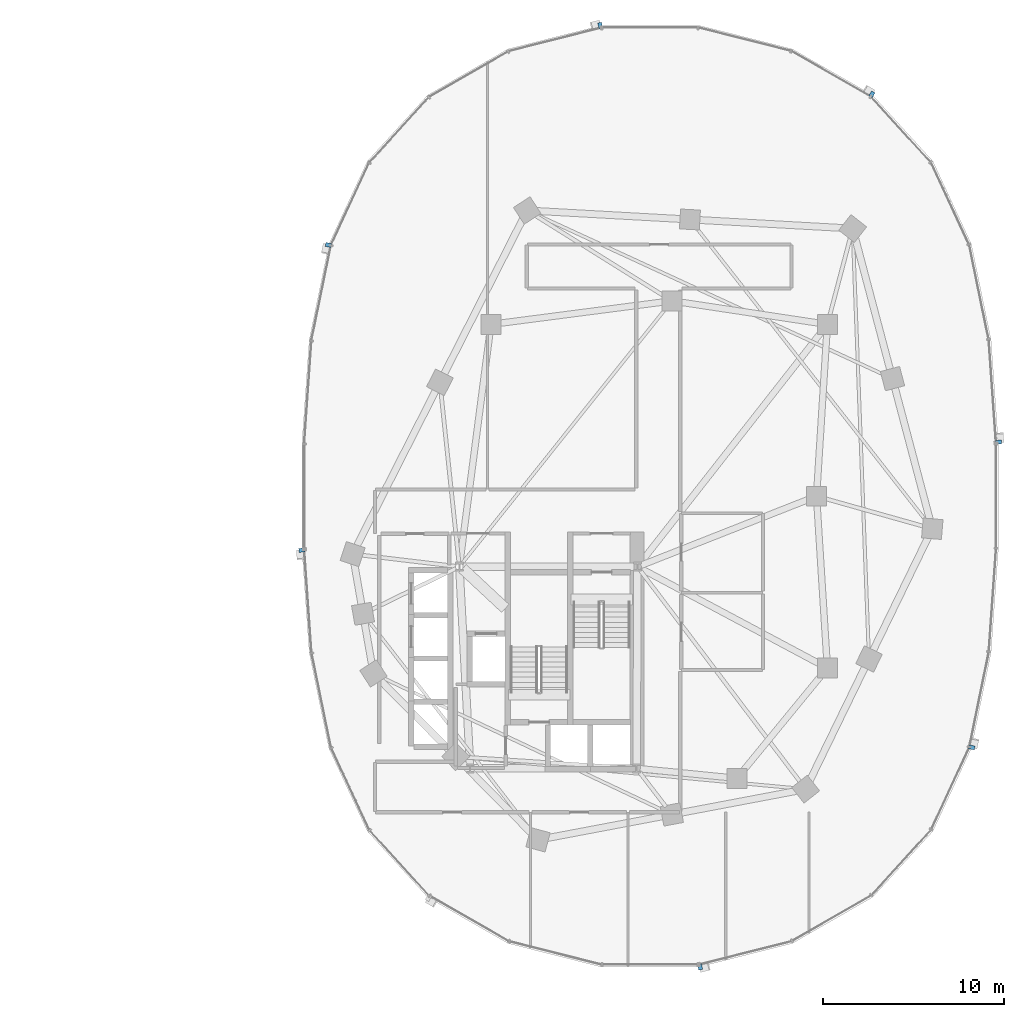
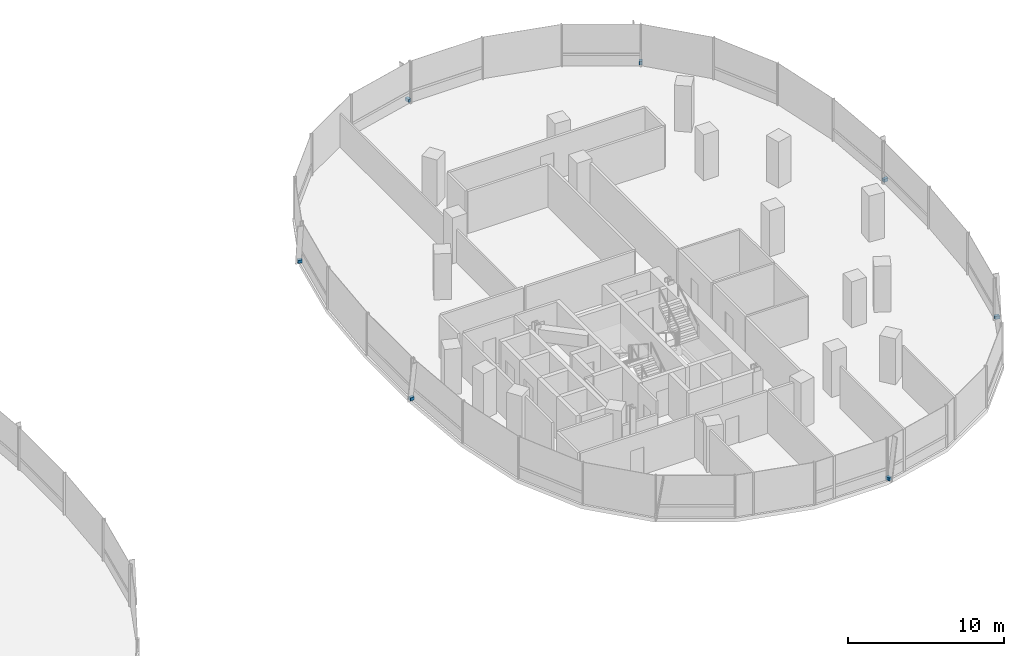
# One storey, part 15 of 20: 7 discrete accessories.
"""IFC4 building model written with IfcOpenShell, lengths in metres."""

from ifc_helpers import new_model, si_unit, direction, frame, origin, origin_2d, place, context, subcontext, project, spatial, rectangle, extrude, material, type_object, element, save


model = new_model("IFC4")

# Units and contexts
model_context = context("Model", 3, precision=1e-05, world=origin(), true_north=direction((0.0, 1.0)))
body_context = subcontext(model_context, "Body", "Model", "MODEL_VIEW")
ifc_project = project(units=[si_unit("LENGTHUNIT", "METRE"), si_unit("AREAUNIT", "SQUARE_METRE"), si_unit("VOLUMEUNIT", "CUBIC_METRE"), si_unit("PLANEANGLEUNIT", "RADIAN"), si_unit("MASSUNIT", "GRAM", prefix="KILO"), si_unit("THERMODYNAMICTEMPERATUREUNIT", "KELVIN"), si_unit("POWERUNIT", "WATT")], contexts=[model_context])

# Site, building, storey
site_placement = place(None, origin())
site = spatial("IfcSite", under=ifc_project, at=site_placement, CompositionType="ELEMENT")
building_placement = place(site_placement, origin())
building = spatial("IfcBuilding", under=site, at=building_placement, Name="Cundina Bronze Exchange", CompositionType="ELEMENT")
storey_placement = place(building_placement, frame((0.0, 0.0, 125.0)))
storey = spatial("IfcBuildingStorey", under=building, at=storey_placement, Name="L32", CompositionType="ELEMENT", Elevation=125.0)

# Discrete accessories
ifc_material = material(Name="Anodised Bronze Aluminium 6063-T6", Category="aluminium")
discrete_accessory_type = type_object("IfcDiscreteAccessoryType", Name="ACC-BRK-FIN", PredefinedType="BRACKET", material=ifc_material)
for number, where, z_axis, x_axis, name in (
    (1, (51.264404296875, 2.986083984375, 0.10009765625), (0.0, 0.0, 1.0), (-0.070278787473, 0.997527389113, 0.0), "L32 Fin Support Bracket 1"),
    (2, (44.259521484375, 22.21875, 0.10009765625), (0.0, 0.0, 1.0), (-0.867105478933, 0.498124571171, 0.0), "L32 Fin Support Bracket 5"),
    (3, (29.23974609375, 26.03173828125, 0.10009765625), (0.0, 0.0, 1.0), (-0.969488149345, -0.245138182011, 0.0), "L32 Fin Support Bracket 1"),
    (4, (14.211669921875, 13.8896484375, 0.10009765625), (0.0, 0.0, 1.0), (-0.201419845156, -0.979505000486, 0.0), "L32 Fin Support Bracket 5"),
    (5, (12.735595703125, -2.986083984375, 0.10009765625), (0.0, 0.0, 1.0), (0.070278787473, -0.997527389113, 0.0), "L32 Fin Support Bracket 1"),
    (6, (34.76025390625, -26.03173828125, 0.10009765625), (0.0, 0.0, 1.0), (0.969488149345, 0.245138182011, 0.0), "L32 Fin Support Bracket 1"),
    (7, (49.788330078125, -13.8896484375, 0.10009765625), (0.0, 0.0, 1.0), (0.201419845156, 0.979505000486, 0.0), "L32 Fin Support Bracket 5"),
):
    element("IfcDiscreteAccessory", number, at=place(storey_placement, frame(where, z_axis=z_axis, x_axis=x_axis)), inside=storey, type_object=discrete_accessory_type, Name=name, PredefinedType="BRACKET", context=body_context, shape_type="SweptSolid", body=[
        extrude(rectangle(XDim=0.219970703125, YDim=0.320068359375, at=origin_2d()), origin(), (0.0, 0.0, 1.0), 0.239990234375),
    ])

save(model, "model.ifc")
